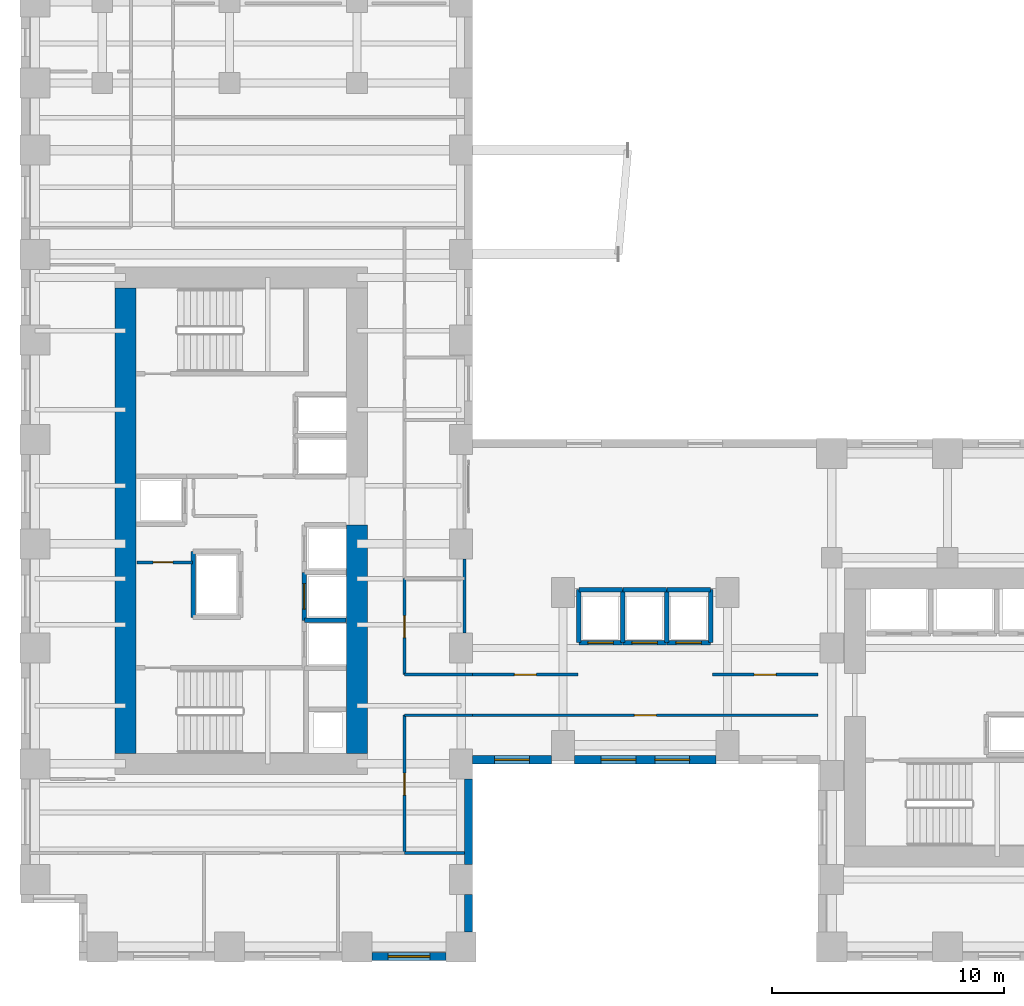
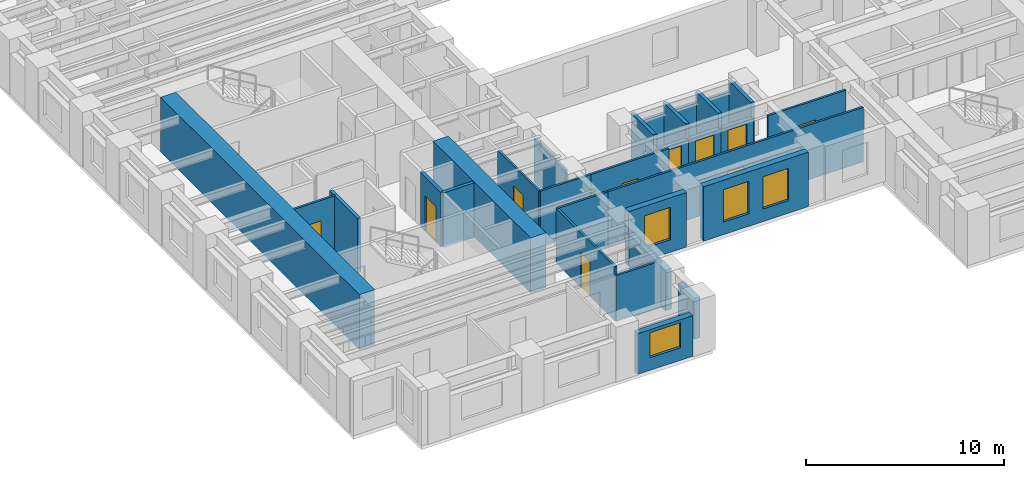
# One storey, part 6 of 13: 30 walls, 10 doors, 4 windows, 14 openings.
"""IFC4 building model written with IfcOpenShell, lengths in metres."""

import ifcopenshell
import ifcopenshell.guid

model = None  # the IFC model being written
_history = None  # IfcOwnerHistory: only IFC2X3 demands one
_inside = {}  # id of a spatial element -> (the spatial element, [elements in it])
_under = {}  # id of a project, library or spatial element -> (it, [spatial elements below it])
_declared = {}  # id of a project -> (the project, [libraries it declares])
_typed = {}  # id of a type object -> (the type object, [elements of that type])
_made_of = {}  # id of a material, layer set ... -> (it, [elements and type objects made of it])


def new_model(schema):
    """Start an empty IFC model of exactly this schema.

    Asked for "IFC4X3", IfcOpenShell would pick the latest addendum, in which some entities
    have other attributes; the version numbers below select the first issue.
    IFC2X3 requires an IfcOwnerHistory on every rooted entity: one is made here for all.
    """
    global model, _history
    if schema == "IFC4X3":
        model = ifcopenshell.file(schema_version=(4, 3, 0, 0))
    else:
        model = ifcopenshell.file(schema=schema)
    _inside.clear()
    _under.clear()
    _declared.clear()
    _typed.clear()
    _made_of.clear()
    _history = None
    if model.schema == "IFC2X3":
        org = make("IfcOrganization", Name="unknown")
        user = make(
            "IfcPersonAndOrganization",
            ThePerson=make("IfcPerson", FamilyName="unknown"),
            TheOrganization=org,
        )
        app = make(
            "IfcApplication",
            ApplicationDeveloper=org,
            Version="unknown",
            ApplicationFullName="unknown",
            ApplicationIdentifier="unknown",
        )
        _history = make(
            "IfcOwnerHistory",
            OwningUser=user,
            OwningApplication=app,
            ChangeAction="ADDED",
            CreationDate=0,
        )
    return model


def make(cls, **values):
    """One entity of the class cls with the attributes given. An attribute that is None is left unset."""
    return model.create_entity(
        cls, **{name: value for name, value in values.items() if value is not None}
    )


def rooted(cls, **values):
    """An entity with a GlobalId (a new one), such as an element, a storey or a relation."""
    return make(cls, GlobalId=ifcopenshell.guid.new(), OwnerHistory=_history, **values)


def si_unit(unit_type, name, prefix=None):
    """IfcSIUnit, for example si_unit("LENGTHUNIT", "METRE", prefix="MILLI")."""
    return make("IfcSIUnit", UnitType=unit_type, Prefix=prefix, Name=name)


def assignment(units):
    """IfcUnitAssignment: the units of a project."""
    return None if units is None else make("IfcUnitAssignment", Units=units)


def point(xyz):
    """IfcCartesianPoint."""
    return None if xyz is None else make("IfcCartesianPoint", Coordinates=xyz)


def direction(xyz):
    """IfcDirection."""
    return None if xyz is None else make("IfcDirection", DirectionRatios=xyz)


def frame(location, z_axis=None, x_axis=None):
    """IfcAxis2Placement3D, a coordinate frame: its origin and axes. An axis left out is left unset."""
    return make(
        "IfcAxis2Placement3D",
        Location=point(location),
        Axis=direction(z_axis),
        RefDirection=direction(x_axis),
    )


def frame_2d(location, x_axis=None):
    """IfcAxis2Placement2D, a coordinate frame in the plane: its origin and x axis."""
    return make(
        "IfcAxis2Placement2D", Location=point(location), RefDirection=direction(x_axis)
    )


def origin():
    """The frame at (0, 0, 0) with its axes left unset."""
    return frame((0.0, 0.0, 0.0))


def place(relative_to, where):
    """IfcLocalPlacement: puts the frame where relative to a parent placement (None: the world)."""
    return make(
        "IfcLocalPlacement", PlacementRelTo=relative_to, RelativePlacement=where
    )


def context(
    kind, dimensions, precision=None, world=None, true_north=None, identifier=None
):
    """IfcGeometricRepresentationContext, for example the 3D "Model" context."""
    return make(
        "IfcGeometricRepresentationContext",
        ContextIdentifier=identifier,
        ContextType=kind,
        CoordinateSpaceDimension=dimensions,
        Precision=precision,
        WorldCoordinateSystem=world,
        TrueNorth=true_north,
    )


def subcontext(parent, identifier, kind, view, scale=None):
    """IfcGeometricRepresentationSubContext, for example "Body" below "Model"."""
    return make(
        "IfcGeometricRepresentationSubContext",
        ContextIdentifier=identifier,
        ContextType=kind,
        ParentContext=parent,
        TargetScale=scale,
        TargetView=view,
    )


def project(units=None, contexts=None):
    """IfcProject with its units and contexts."""
    return rooted(
        "IfcProject",
        Name="project",
        RepresentationContexts=contexts,
        UnitsInContext=assignment(units),
    )


def spatial(cls, under=None, at=None, **own):
    """A site, building, storey or space (cls), placed at a placement, below another one or the project."""
    s = rooted(cls, ObjectPlacement=at, **own)
    if under is not None:
        _under.setdefault(under.id(), (under, []))[1].append(s)
    return s


def profile(cls, at=None, kind="AREA", **sizes):
    """A parametric profile (cls). Its sizes go by their IFC names, for example OverallWidth=200.0."""
    return make(cls, ProfileType=kind, Position=at, **sizes)


def rectangle(**sizes):
    """IfcRectangleProfileDef."""
    return profile("IfcRectangleProfileDef", **sizes)


def extrude(swept, where, along, depth):
    """IfcExtrudedAreaSolid: the profile swept, set in the frame where, extruded along a direction by depth."""
    return make(
        "IfcExtrudedAreaSolid",
        SweptArea=swept,
        Position=where,
        ExtrudedDirection=direction(along),
        Depth=depth,
    )


def shape(context_of_items, identifier, shape_type, items):
    """IfcShapeRepresentation: the items that make up one representation, for example the "Body"."""
    return make(
        "IfcShapeRepresentation",
        ContextOfItems=context_of_items,
        RepresentationIdentifier=identifier,
        RepresentationType=shape_type,
        Items=items,
    )


def source(mapping_origin, context_of_items, identifier, shape_type, items):
    """IfcRepresentationMap: a shape defined once, which mapped items show again and again."""
    return make(
        "IfcRepresentationMap",
        MappingOrigin=mapping_origin,
        MappedRepresentation=shape(context_of_items, identifier, shape_type, items),
    )


def transform(
    local_origin,
    x_axis=None,
    y_axis=None,
    z_axis=None,
    scale=None,
    scale2=None,
    scale3=None,
    uniform=True,
):
    """IfcCartesianTransformationOperator3D, or its non-uniform kind. x_axis, y_axis, z_axis: its Axis1, 2, 3."""
    if uniform:
        return make(
            "IfcCartesianTransformationOperator3D",
            Axis1=direction(x_axis),
            Axis2=direction(y_axis),
            LocalOrigin=point(local_origin),
            Scale=scale,
            Axis3=direction(z_axis),
        )
    return make(
        "IfcCartesianTransformationOperator3DnonUniform",
        Axis1=direction(x_axis),
        Axis2=direction(y_axis),
        LocalOrigin=point(local_origin),
        Scale=scale,
        Axis3=direction(z_axis),
        Scale2=scale2,
        Scale3=scale3,
    )


def mapped(mapping_source, mapping_target):
    """IfcMappedItem: shows the shape of a source again, moved by a transform."""
    return make(
        "IfcMappedItem", MappingSource=mapping_source, MappingTarget=mapping_target
    )


def material(Name=None, Category=None):
    """IfcMaterial."""
    return make("IfcMaterial", Name=Name, Category=Category)


def layer(
    of_material, thickness, ventilated=None, Name=None, Category=None, Priority=None
):
    """IfcMaterialLayer: one layer of a wall or slab, of a material (None: an air gap)."""
    return make(
        "IfcMaterialLayer",
        Material=of_material,
        LayerThickness=thickness,
        IsVentilated=ventilated,
        Name=Name,
        Category=Category,
        Priority=Priority,
    )


def layer_set(layers, Name=None):
    """IfcMaterialLayerSet."""
    return make("IfcMaterialLayerSet", MaterialLayers=layers, LayerSetName=Name)


def made_of(thing, what):
    """Note that an element or type object is made of a material, layer set ...; save() writes the relation."""
    if what is not None:
        _made_of.setdefault(what.id(), (what, []))[1].append(thing)
    return thing


def type_object(cls, material=None, **own):
    """A type object (cls), such as IfcWallType, which elements share."""
    return made_of(rooted(cls, **own), material)


def element(
    cls,
    number,
    at=None,
    inside=None,
    cuts=None,
    type_object=None,
    material=None,
    context=None,
    identifier="Body",
    shape_type=None,
    held_by="IfcProductDefinitionShape",
    body=None,
    shapes=None,
    **own,
):
    """One element of the class cls, such as IfcWall. Its Tag is "e" and its number.

    at: its placement. inside: the storey or other place that contains it. cuts: it is an
    opening in that element (IfcRelVoidsElement). A single representation is given by context,
    identifier, shape_type and body (its items); several are given by shapes. held_by: the class
    of the entity that holds the representations. save() writes the other relations.
    """
    e = rooted(cls, Tag="e%d" % number, ObjectPlacement=at, **own)
    if body is not None:
        shapes = [shape(context, identifier, shape_type, body)]
    if shapes is not None:
        e.Representation = make(held_by, Representations=shapes)
    if inside is not None:
        _inside.setdefault(inside.id(), (inside, []))[1].append(e)
    if cuts is not None:
        rooted(
            "IfcRelVoidsElement", RelatingBuildingElement=cuts, RelatedOpeningElement=e
        )
    if type_object is not None:
        _typed.setdefault(type_object.id(), (type_object, []))[1].append(e)
    return made_of(e, material)


def fill(opening, filler):
    """IfcRelFillsElement: the door or window that sits in an opening."""
    return rooted(
        "IfcRelFillsElement",
        RelatingOpeningElement=opening,
        RelatedBuildingElement=filler,
    )


def aggregate(whole, parts):
    """IfcRelAggregates: a whole, such as a stair, and the parts it consists of."""
    return rooted("IfcRelAggregates", RelatingObject=whole, RelatedObjects=parts)


def save(model, path):
    """Write the relations noted so far, then the file.

    IfcRelAggregates (storeys below a building ...), IfcRelContainedInSpatialStructure (elements
    in a storey), IfcRelDefinesByType, IfcRelAssociatesMaterial and IfcRelDeclares: one each for
    every whole, place, type object, material and project.
    """
    for whole, parts in _under.values():
        aggregate(whole, parts)
    for where, things in _inside.values():
        rooted(
            "IfcRelContainedInSpatialStructure",
            RelatedElements=things,
            RelatingStructure=where,
        )
    for kind, things in _typed.values():
        rooted("IfcRelDefinesByType", RelatedObjects=things, RelatingType=kind)
    for what, things in _made_of.values():
        rooted("IfcRelAssociatesMaterial", RelatedObjects=things, RelatingMaterial=what)
    for by, libraries in _declared.values():
        rooted("IfcRelDeclares", RelatingContext=by, RelatedDefinitions=libraries)
    model.write(path)


model = new_model("IFC4")

# Units and contexts
model_context = context("Model", 3, precision=1e-05, world=origin(), true_north=direction((0.0, 1.0)))
body_context = subcontext(model_context, "Body", "Model", "MODEL_VIEW")
ifc_project = project(units=[si_unit("LENGTHUNIT", "METRE"), si_unit("AREAUNIT", "SQUARE_METRE"), si_unit("VOLUMEUNIT", "CUBIC_METRE"), si_unit("PLANEANGLEUNIT", "RADIAN"), si_unit("MASSUNIT", "GRAM", prefix="KILO")], contexts=[model_context])

# Site, building, storey
site_placement = place(None, origin())
site = spatial("IfcSite", under=ifc_project, at=site_placement, CompositionType="ELEMENT")
building_placement = place(site_placement, origin())
building = spatial("IfcBuilding", under=site, at=building_placement, Name="Kharzan Plaza Tower", CompositionType="ELEMENT")
storey_placement = place(building_placement, frame((0.0, 0.0, 65.699951171875)))
storey = spatial("IfcBuildingStorey", under=building, at=storey_placement, Name="L17", CompositionType="ELEMENT", Elevation=65.699951171875)

# Wall, opening, window
ifc_material_1 = material(Name="Concrete C40/50", Category="concrete")
ifc_layer_1 = layer(ifc_material_1, 0.35009765625)
ifc_layer_set_1 = layer_set([ifc_layer_1], Name="Concrete C40/50")
wall_type_1 = type_object("IfcWallType", Name="WL-EXT-MAS-Z1", PredefinedType="SOLIDWALL", material=ifc_layer_set_1)
wall_1_placement = place(storey_placement, frame((15.14794921875, 0.175048828125, 0.0), z_axis=(0.0, 0.0, 1.0), x_axis=(1.0, 0.0, 0.0)))
wall_1 = element("IfcWall", 1, at=wall_1_placement, inside=storey, type_object=wall_type_1, Name="L17 Masonry-Frame Exterior Wall 25", PredefinedType="SOLIDWALL", context=body_context, shape_type="SweptSolid", body=[
    extrude(rectangle(XDim=3.2041015625, YDim=0.35009765625, at=frame_2d((1.60205078125, 0.0))), origin(), (0.0, 0.0, 1.0), 2.510009765625),
])
opening_1_placement = place(wall_1_placement, frame((0.701904296875, 0.0, 0.780029296875)))
opening_1 = element("IfcOpeningElement", 2, at=opening_1_placement, cuts=wall_1, Name="Opening W1", PredefinedType="OPENING", context=body_context, shape_type="SweptSolid", body=[
    extrude(rectangle(XDim=1.800048828125, YDim=1.550048828125, at=frame_2d((0.89990234375, 0.77490234375))), frame((0.0, 0.18505859375, 0.0), z_axis=(0.0, -1.0, 0.0), x_axis=(1.0, 0.0, 0.0)), (0.0, 0.0, 1.0), 0.3701171875),
])
ifc_material_2 = material(Name="Low-E Double Glazing", Category="glass")
window_type_1 = type_object("IfcWindowType", Name="WN-REC-1800x2100", PartitioningType="SINGLE_PANEL", PredefinedType="WINDOW", material=ifc_material_2)
shared_shape_1 = source(origin(), body_context, "Body", "SweptSolid", [
    extrude(rectangle(XDim=1.800048828125, YDim=1.550048828125, at=frame_2d((0.89990234375, 0.77490234375))), frame((0.0, 0.030029296875, 0.0), z_axis=(0.0, -1.0, 0.0), x_axis=(1.0, 0.0, 0.0)), (0.0, 0.0, 1.0), 0.06005859375),
])
window_1_placement = place(opening_1_placement, origin())
window_1 = element("IfcWindow", 3, at=window_1_placement, inside=storey, type_object=window_type_1, Name="L17 Recessed Solar-Control Window 25-1", OverallHeight=1.550048828125, OverallWidth=1.800048828125, PartitioningType="SINGLE_PANEL", PredefinedType="WINDOW", context=body_context, shape_type="MappedRepresentation", body=[
    mapped(shared_shape_1, transform((0.0, 0.0, 0.0), x_axis=(1.0, 0.0, 0.0), y_axis=(0.0, 1.0, 0.0), z_axis=(0.0, 0.0, 1.0))),
])
fill(opening_1, window_1)

wall_2_placement = place(storey_placement, frame((19.498046875, 8.675048828125, 0.0), z_axis=(0.0, 0.0, 1.0), x_axis=(1.0, 0.0, 0.0)))
wall_2 = element("IfcWall", 4, at=wall_2_placement, inside=storey, type_object=wall_type_1, Name="L17 Masonry-Frame Exterior Wall 28", PredefinedType="SOLIDWALL", context=body_context, shape_type="SweptSolid", body=[
    extrude(rectangle(XDim=3.404052734375, YDim=0.35009765625, at=frame_2d((1.7021484375, 0.0))), origin(), (0.0, 0.0, 1.0), 3.364990234375),
])
opening_2_placement = place(wall_2_placement, frame((0.951904296875, 0.0, 0.780029296875)))
opening_2 = element("IfcOpeningElement", 5, at=opening_2_placement, cuts=wall_2, Name="Opening W5", PredefinedType="OPENING", context=body_context, shape_type="SweptSolid", body=[
    extrude(rectangle(XDim=1.5, YDim=2.0, at=frame_2d((0.75, 1.0))), frame((0.0, 0.18505859375, 0.0), z_axis=(0.0, -1.0, 0.0), x_axis=(1.0, 0.0, 0.0)), (0.0, 0.0, 1.0), 0.3701171875),
])
window_type_2 = type_object("IfcWindowType", Name="WN-SLT-1500x2000", PartitioningType="SINGLE_PANEL", PredefinedType="WINDOW", material=ifc_material_2)
shared_shape_2 = source(origin(), body_context, "Body", "SweptSolid", [
    extrude(rectangle(XDim=1.5, YDim=2.0, at=frame_2d((0.75, 1.0))), frame((0.0, 0.030029296875, 0.0), z_axis=(0.0, -1.0, 0.0), x_axis=(1.0, 0.0, 0.0)), (0.0, 0.0, 1.0), 0.06005859375),
])
window_2_placement = place(opening_2_placement, origin())
window_2 = element("IfcWindow", 6, at=window_2_placement, inside=storey, type_object=window_type_2, Name="L17 Recessed Solar-Control Window 28-1", OverallHeight=2.0, OverallWidth=1.5, PartitioningType="SINGLE_PANEL", PredefinedType="WINDOW", context=body_context, shape_type="MappedRepresentation", body=[
    mapped(shared_shape_2, transform((0.0, 0.0, 0.0), x_axis=(1.0, 0.0, 0.0), y_axis=(0.0, 1.0, 0.0), z_axis=(0.0, 0.0, 1.0))),
])
fill(opening_2, window_2)

# Wall, openings, windows
wall_3_placement = place(storey_placement, frame((23.89794921875, 8.675048828125, 0.0), z_axis=(0.0, 0.0, 1.0), x_axis=(1.0, 0.0, 0.0)))
wall_3 = element("IfcWall", 7, at=wall_3_placement, inside=storey, type_object=wall_type_1, Name="L17 Masonry-Frame Exterior Wall 29", PredefinedType="SOLIDWALL", context=body_context, shape_type="SweptSolid", body=[
    extrude(rectangle(XDim=6.10400390625, YDim=0.35009765625, at=frame_2d((3.052001953125, 0.0))), origin(), (0.0, 0.0, 1.0), 3.364990234375),
])
opening_3_placement = place(wall_3_placement, frame((1.141357421875, 0.0, 0.780029296875)))
opening_3 = element("IfcOpeningElement", 8, at=opening_3_placement, cuts=wall_3, Name="Opening W5", PredefinedType="OPENING", context=body_context, shape_type="SweptSolid", body=[
    extrude(rectangle(XDim=1.5, YDim=2.0, at=frame_2d((0.75, 1.0))), frame((0.0, 0.18505859375, 0.0), z_axis=(0.0, -1.0, 0.0), x_axis=(1.0, 0.0, 0.0)), (0.0, 0.0, 1.0), 0.3701171875),
])
opening_4_placement = place(wall_3_placement, frame((3.462646484375, 0.0, 0.780029296875)))
opening_4 = element("IfcOpeningElement", 9, at=opening_4_placement, cuts=wall_3, Name="Opening W5", PredefinedType="OPENING", context=body_context, shape_type="SweptSolid", body=[
    extrude(rectangle(XDim=1.5, YDim=2.0, at=frame_2d((0.75, 1.0))), frame((0.0, 0.18505859375, 0.0), z_axis=(0.0, -1.0, 0.0), x_axis=(1.0, 0.0, 0.0)), (0.0, 0.0, 1.0), 0.3701171875),
])
window_3_placement = place(opening_3_placement, origin())
window_3 = element("IfcWindow", 10, at=window_3_placement, inside=storey, type_object=window_type_2, Name="L17 Recessed Solar-Control Window 29-1", OverallHeight=2.0, OverallWidth=1.5, PartitioningType="SINGLE_PANEL", PredefinedType="WINDOW", context=body_context, shape_type="MappedRepresentation", body=[
    mapped(shared_shape_2, transform((0.0, 0.0, 0.0), x_axis=(1.0, 0.0, 0.0), y_axis=(0.0, 1.0, 0.0), z_axis=(0.0, 0.0, 1.0))),
])
fill(opening_3, window_3)
window_4_placement = place(opening_4_placement, origin())
window_4 = element("IfcWindow", 11, at=window_4_placement, inside=storey, type_object=window_type_2, Name="L17 Recessed Solar-Control Window 29-2", OverallHeight=2.0, OverallWidth=1.5, PartitioningType="SINGLE_PANEL", PredefinedType="WINDOW", context=body_context, shape_type="MappedRepresentation", body=[
    mapped(shared_shape_2, transform((0.0, 0.0, 0.0), x_axis=(1.0, 0.0, 0.0), y_axis=(0.0, 1.0, 0.0), z_axis=(0.0, 0.0, 1.0))),
])
fill(opening_4, window_4)

# Wall, opening, door
ifc_material_3 = material(Name="Fire-Rated Gypsum Board Partition", Category="gypsum")
ifc_layer_2 = layer(ifc_material_3, 0.125)
ifc_layer_set_2 = layer_set([ifc_layer_2], Name="Fire-Rated Gypsum Board Partition")
wall_type_2 = type_object("IfcWallType", Name="WL-INT-PART-125", PredefinedType="PARTITIONING", material=ifc_layer_set_2)
wall_4_placement = place(storey_placement, frame((5.0, 17.199951171875, 0.0), z_axis=(0.0, 0.0, 1.0), x_axis=(1.0, 0.0, 0.0)))
wall_4 = element("IfcWall", 12, at=wall_4_placement, inside=storey, type_object=wall_type_2, Name="L17 Interior Partition CA-K2N0", PredefinedType="PARTITIONING", context=body_context, shape_type="SweptSolid", body=[
    extrude(rectangle(XDim=2.39990234375, YDim=0.125, at=frame_2d((1.199951171875, 0.0))), origin(), (0.0, 0.0, 1.0), 3.364990234375),
])
opening_5_placement = place(wall_4_placement, frame((0.699951171875, 0.0, 0.0)))
opening_5 = element("IfcOpeningElement", 13, at=opening_5_placement, cuts=wall_4, Name="Opening RD1", PredefinedType="OPENING", context=body_context, shape_type="SweptSolid", body=[
    extrude(rectangle(XDim=0.85009765625, YDim=2.10009765625, at=frame_2d((0.425048828125, 1.050048828125))), frame((0.0, 0.072509765625, 0.0), z_axis=(0.0, -1.0, 0.0), x_axis=(1.0, 0.0, 0.0)), (0.0, 0.0, 1.0), 0.14501953125),
])
ifc_material_4 = material(Name="Powder-Coated Fire-Rated Steel", Category="steel")
door_type_1 = type_object("IfcDoorType", Name="DR-RISER-900", OperationType="NOTDEFINED", PredefinedType="DOOR", material=ifc_material_4)
shared_shape_3 = source(origin(), body_context, "Body", "SweptSolid", [
    extrude(rectangle(XDim=0.85009765625, YDim=2.10009765625, at=frame_2d((0.425048828125, 1.050048828125))), frame((0.0, 0.02490234375, 0.0), z_axis=(0.0, -1.0, 0.0), x_axis=(1.0, 0.0, 0.0)), (0.0, 0.0, 1.0), 0.050048828125),
])
door_1_placement = place(opening_5_placement, origin())
door_1 = element("IfcDoor", 14, at=door_1_placement, inside=storey, type_object=door_type_1, Name="L17 Core Electrical Store Door", OperationType="SINGLE_SWING_LEFT", OverallHeight=2.10009765625, OverallWidth=0.85009765625, PredefinedType="DOOR", context=body_context, shape_type="MappedRepresentation", body=[
    mapped(shared_shape_3, transform((0.0, 0.0, 0.0), x_axis=(1.0, 0.0, 0.0), y_axis=(0.0, 1.0, 0.0), z_axis=(0.0, 0.0, 1.0))),
])
fill(opening_5, door_1)

wall_5_placement = place(storey_placement, frame((16.550048828125, 12.35009765625, 0.0), z_axis=(0.0, 0.0, 1.0), x_axis=(0.0, 1.0, 0.0)))
wall_5 = element("IfcWall", 15, at=wall_5_placement, inside=storey, type_object=wall_type_2, Name="L17 Interior Partition SH-AEWN1", PredefinedType="PARTITIONING", context=body_context, shape_type="SweptSolid", body=[
    extrude(rectangle(XDim=4.14990234375, YDim=0.125, at=frame_2d((2.074951171875, 0.0))), origin(), (0.0, 0.0, 1.0), 3.364990234375),
])
opening_6_placement = place(wall_5_placement, frame((1.60009765625, 0.0, 0.0)))
opening_6 = element("IfcOpeningElement", 16, at=opening_6_placement, cuts=wall_5, Name="Opening OD1", PredefinedType="OPENING", context=body_context, shape_type="SweptSolid", body=[
    extrude(rectangle(XDim=0.949951171875, YDim=2.14990234375, at=frame_2d((0.47509765625, 1.074951171875))), frame((0.0, 0.072509765625, 0.0), z_axis=(0.0, -1.0, 0.0), x_axis=(1.0, 0.0, 0.0)), (0.0, 0.0, 1.0), 0.14501953125),
])
ifc_material_5 = material(Name="Acoustic Solid-Core Stained Oak", Category="timber")
door_type_2 = type_object("IfcDoorType", Name="DR-OFF-SINGLE", OperationType="NOTDEFINED", PredefinedType="DOOR", material=ifc_material_5)
shared_shape_4 = source(origin(), body_context, "Body", "SweptSolid", [
    extrude(rectangle(XDim=0.949951171875, YDim=2.14990234375, at=frame_2d((0.47509765625, 1.074951171875))), frame((0.0, 0.02490234375, 0.0), z_axis=(0.0, -1.0, 0.0), x_axis=(1.0, 0.0, 0.0)), (0.0, 0.0, 1.0), 0.050048828125),
])
door_2_placement = place(opening_6_placement, origin())
door_2 = element("IfcDoor", 17, at=door_2_placement, inside=storey, type_object=door_type_2, Name="L17 Slot Collaboration Door", OperationType="SINGLE_SWING_LEFT", OverallHeight=2.14990234375, OverallWidth=0.949951171875, PredefinedType="DOOR", context=body_context, shape_type="MappedRepresentation", body=[
    mapped(shared_shape_4, transform((0.0, 0.0, 0.0), x_axis=(1.0, 0.0, 0.0), y_axis=(0.0, 1.0, 0.0), z_axis=(0.0, 0.0, 1.0))),
])
fill(opening_6, door_2)

wall_6_placement = place(storey_placement, frame((16.550048828125, 4.64990234375, 0.0), z_axis=(0.0, 0.0, 1.0), x_axis=(0.0, 1.0, 0.0)))
wall_6 = element("IfcWall", 18, at=wall_6_placement, inside=storey, type_object=wall_type_2, Name="L17 Interior Partition SH-AEWS", PredefinedType="PARTITIONING", context=body_context, shape_type="SweptSolid", body=[
    extrude(rectangle(XDim=5.9501953125, YDim=0.125, at=frame_2d((2.97509765625, 0.0))), origin(), (0.0, 0.0, 1.0), 3.364990234375),
])
opening_7_placement = place(wall_6_placement, frame((2.5, 0.0, 0.0)))
opening_7 = element("IfcOpeningElement", 19, at=opening_7_placement, cuts=wall_6, Name="Opening OD1", PredefinedType="OPENING", context=body_context, shape_type="SweptSolid", body=[
    extrude(rectangle(XDim=0.949951171875, YDim=2.14990234375, at=frame_2d((0.47509765625, 1.074951171875))), frame((0.0, 0.072509765625, 0.0), z_axis=(0.0, -1.0, 0.0), x_axis=(1.0, 0.0, 0.0)), (0.0, 0.0, 1.0), 0.14501953125),
])
door_3_placement = place(opening_7_placement, origin())
door_3 = element("IfcDoor", 20, at=door_3_placement, inside=storey, type_object=door_type_2, Name="L17 Slot South Office Door", OperationType="SINGLE_SWING_RIGHT", OverallHeight=2.14990234375, OverallWidth=0.949951171875, PredefinedType="DOOR", context=body_context, shape_type="MappedRepresentation", body=[
    mapped(shared_shape_4, transform((0.0, 0.0, 0.0), x_axis=(1.0, 0.0, 0.0), y_axis=(0.0, 1.0, 0.0), z_axis=(0.0, 0.0, 1.0))),
])
fill(opening_7, door_3)

wall_7_placement = place(storey_placement, frame((29.85009765625, 12.35009765625, 0.0), z_axis=(0.0, 0.0, 1.0), x_axis=(1.0, 0.0, 0.0)))
wall_7 = element("IfcWall", 21, at=wall_7_placement, inside=storey, type_object=wall_type_2, Name="L17 Interior Partition SH-SPNE1", PredefinedType="PARTITIONING", context=body_context, shape_type="SweptSolid", body=[
    extrude(rectangle(XDim=4.5498046875, YDim=0.125, at=frame_2d((2.27490234375, 0.0))), origin(), (0.0, 0.0, 1.0), 3.364990234375),
])
opening_8_placement = place(wall_7_placement, frame((1.800048828125, 0.0, 0.0)))
opening_8 = element("IfcOpeningElement", 22, at=opening_8_placement, cuts=wall_7, Name="Opening OD1", PredefinedType="OPENING", context=body_context, shape_type="SweptSolid", body=[
    extrude(rectangle(XDim=0.949951171875, YDim=2.14990234375, at=frame_2d((0.47509765625, 1.074951171875))), frame((0.0, 0.072509765625, 0.0), z_axis=(0.0, -1.0, 0.0), x_axis=(1.0, 0.0, 0.0)), (0.0, 0.0, 1.0), 0.14501953125),
])
door_4_placement = place(opening_8_placement, origin())
door_4 = element("IfcDoor", 23, at=door_4_placement, inside=storey, type_object=door_type_2, Name="L17 North-East Spine Door", OperationType="SINGLE_SWING_LEFT", OverallHeight=2.14990234375, OverallWidth=0.949951171875, PredefinedType="DOOR", context=body_context, shape_type="MappedRepresentation", body=[
    mapped(shared_shape_4, transform((0.0, 0.0, 0.0), x_axis=(1.0, 0.0, 0.0), y_axis=(0.0, 1.0, 0.0), z_axis=(0.0, 0.0, 1.0))),
])
fill(opening_8, door_4)

wall_8_placement = place(storey_placement, frame((19.5, 12.35009765625, 0.0), z_axis=(0.0, 0.0, 1.0), x_axis=(1.0, 0.0, 0.0)))
wall_8 = element("IfcWall", 24, at=wall_8_placement, inside=storey, type_object=wall_type_2, Name="L17 Interior Partition SH-SPNW1", PredefinedType="PARTITIONING", context=body_context, shape_type="SweptSolid", body=[
    extrude(rectangle(XDim=4.550048828125, YDim=0.125, at=frame_2d((2.27490234375, 0.0))), origin(), (0.0, 0.0, 1.0), 3.364990234375),
])
opening_9_placement = place(wall_8_placement, frame((1.800048828125, 0.0, 0.0)))
opening_9 = element("IfcOpeningElement", 25, at=opening_9_placement, cuts=wall_8, Name="Opening OD1", PredefinedType="OPENING", context=body_context, shape_type="SweptSolid", body=[
    extrude(rectangle(XDim=0.949951171875, YDim=2.14990234375, at=frame_2d((0.47509765625, 1.074951171875))), frame((0.0, 0.072509765625, 0.0), z_axis=(0.0, -1.0, 0.0), x_axis=(1.0, 0.0, 0.0)), (0.0, 0.0, 1.0), 0.14501953125),
])
door_5_placement = place(opening_9_placement, origin())
door_5 = element("IfcDoor", 26, at=door_5_placement, inside=storey, type_object=door_type_2, Name="L17 North-West Spine Door", OperationType="SINGLE_SWING_RIGHT", OverallHeight=2.14990234375, OverallWidth=0.949951171875, PredefinedType="DOOR", context=body_context, shape_type="MappedRepresentation", body=[
    mapped(shared_shape_4, transform((0.0, 0.0, 0.0), x_axis=(1.0, 0.0, 0.0), y_axis=(0.0, 1.0, 0.0), z_axis=(0.0, 0.0, 1.0))),
])
fill(opening_9, door_5)

wall_9_placement = place(storey_placement, frame((19.5, 10.60009765625, 0.0), z_axis=(0.0, 0.0, 1.0), x_axis=(1.0, 0.0, 0.0)))
wall_9 = element("IfcWall", 27, at=wall_9_placement, inside=storey, type_object=wall_type_2, Name="L17 Interior Partition SH-SPS1", PredefinedType="PARTITIONING", context=body_context, shape_type="SweptSolid", body=[
    extrude(rectangle(XDim=14.89990234375, YDim=0.125, at=frame_2d((7.449951171875, 0.0))), origin(), (0.0, 0.0, 1.0), 3.364990234375),
])
opening_10_placement = place(wall_9_placement, frame((6.97509765625, 0.0, 0.0)))
opening_10 = element("IfcOpeningElement", 28, at=opening_10_placement, cuts=wall_9, Name="Opening OD1", PredefinedType="OPENING", context=body_context, shape_type="SweptSolid", body=[
    extrude(rectangle(XDim=0.949951171875, YDim=2.14990234375, at=frame_2d((0.47509765625, 1.074951171875))), frame((0.0, 0.072509765625, 0.0), z_axis=(0.0, -1.0, 0.0), x_axis=(1.0, 0.0, 0.0)), (0.0, 0.0, 1.0), 0.14501953125),
])
door_6_placement = place(opening_10_placement, origin())
door_6 = element("IfcDoor", 29, at=door_6_placement, inside=storey, type_object=door_type_2, Name="L17 South Spine Studio Door", OperationType="SINGLE_SWING_LEFT", OverallHeight=2.14990234375, OverallWidth=0.949951171875, PredefinedType="DOOR", context=body_context, shape_type="MappedRepresentation", body=[
    mapped(shared_shape_4, transform((0.0, 0.0, 0.0), x_axis=(1.0, 0.0, 0.0), y_axis=(0.0, 1.0, 0.0), z_axis=(0.0, 0.0, 1.0))),
])
fill(opening_10, door_6)

ifc_layer_3 = layer(ifc_material_1, 0.199951171875)
ifc_layer_set_3 = layer_set([ifc_layer_3], Name="Concrete C40/50")
wall_type_3 = type_object("IfcWallType", Name="WL-INT-SHAFT-200", PredefinedType="PARTITIONING", material=ifc_layer_set_3)
wall_10_placement = place(storey_placement, frame((12.22998046875, 14.699951171875, 0.0), z_axis=(0.0, 0.0, 1.0), x_axis=(0.0, 1.0, 0.0)))
wall_10 = element("IfcWall", 30, at=wall_10_placement, inside=storey, type_object=wall_type_3, Name="L17 Interior Partition SHF-PL-H2-W", PredefinedType="PARTITIONING", context=body_context, shape_type="SweptSolid", body=[
    extrude(rectangle(XDim=2.070068359375, YDim=0.199951171875, at=frame_2d((1.03515625, 0.0))), origin(), (0.0, 0.0, 1.0), 3.364990234375),
])
opening_11_placement = place(wall_10_placement, frame((0.485107421875, 0.0, 0.0)))
opening_11 = element("IfcOpeningElement", 31, at=opening_11_placement, cuts=wall_10, Name="Opening LD", PredefinedType="OPENING", context=body_context, shape_type="SweptSolid", body=[
    extrude(rectangle(XDim=1.10009765625, YDim=2.199951171875, at=frame_2d((0.550048828125, 1.10009765625))), frame((0.0, 0.10986328125, 0.0), z_axis=(0.0, -1.0, 0.0), x_axis=(1.0, 0.0, 0.0)), (0.0, 0.0, 1.0), 0.219970703125),
])
ifc_material_6 = material(Name="Brushed Stainless Steel", Category="steel")
door_type_3 = type_object("IfcDoorType", Name="DR-LIFT-SLIDE", OperationType="SLIDING_TO_LEFT", PredefinedType="DOOR", material=ifc_material_6)
shared_shape_5 = source(origin(), body_context, "Body", "SweptSolid", [
    extrude(rectangle(XDim=1.10009765625, YDim=2.199951171875, at=frame_2d((0.550048828125, 1.10009765625))), frame((0.0, 0.02490234375, 0.0), z_axis=(0.0, -1.0, 0.0), x_axis=(1.0, 0.0, 0.0)), (0.0, 0.0, 1.0), 0.050048828125),
])
door_7_placement = place(opening_11_placement, origin())
door_7 = element("IfcDoor", 32, at=door_7_placement, inside=storey, type_object=door_type_3, Name="L17 High-Rise Passenger Lift PL-H2 Sliding Landing Door", OperationType="SLIDING_TO_LEFT", OverallHeight=2.199951171875, OverallWidth=1.10009765625, PredefinedType="DOOR", context=body_context, shape_type="MappedRepresentation", body=[
    mapped(shared_shape_5, transform((0.0, 0.0, 0.0), x_axis=(1.0, 0.0, 0.0), y_axis=(0.0, 1.0, 0.0), z_axis=(0.0, 0.0, 1.0))),
])
fill(opening_11, door_7)

wall_11_placement = place(storey_placement, frame((24.080078125, 13.72998046875, 0.0), z_axis=(0.0, 0.0, 1.0), x_axis=(1.0, 0.0, 0.0)))
wall_11 = element("IfcWall", 33, at=wall_11_placement, inside=storey, type_object=wall_type_3, Name="L17 Interior Partition SHF-PL-M1-S", PredefinedType="PARTITIONING", context=body_context, shape_type="SweptSolid", body=[
    extrude(rectangle(XDim=1.889892578125, YDim=0.199951171875, at=frame_2d((0.94482421875, 0.0))), origin(), (0.0, 0.0, 1.0), 2.446044921875),
])
opening_12_placement = place(wall_11_placement, frame((0.39501953125, 0.0, 0.0)))
opening_12 = element("IfcOpeningElement", 34, at=opening_12_placement, cuts=wall_11, Name="Opening LD", PredefinedType="OPENING", context=body_context, shape_type="SweptSolid", body=[
    extrude(rectangle(XDim=1.10009765625, YDim=2.199951171875, at=frame_2d((0.550048828125, 1.10009765625))), frame((0.0, 0.10986328125, 0.0), z_axis=(0.0, -1.0, 0.0), x_axis=(1.0, 0.0, 0.0)), (0.0, 0.0, 1.0), 0.219970703125),
])
door_8_placement = place(opening_12_placement, origin())
door_8 = element("IfcDoor", 35, at=door_8_placement, inside=storey, type_object=door_type_3, Name="L17 Mid-Rise Passenger Lift PL-M1 Sliding Landing Door", OperationType="SLIDING_TO_LEFT", OverallHeight=2.199951171875, OverallWidth=1.10009765625, PredefinedType="DOOR", context=body_context, shape_type="MappedRepresentation", body=[
    mapped(shared_shape_5, transform((0.0, 0.0, 0.0), x_axis=(1.0, 0.0, 0.0), y_axis=(0.0, 1.0, 0.0), z_axis=(0.0, 0.0, 1.0))),
])
fill(opening_12, door_8)

wall_12_placement = place(storey_placement, frame((25.97998046875, 13.72998046875, 0.0), z_axis=(0.0, 0.0, 1.0), x_axis=(1.0, 0.0, 0.0)))
wall_12 = element("IfcWall", 36, at=wall_12_placement, inside=storey, type_object=wall_type_3, Name="L17 Interior Partition SHF-PL-M2-S", PredefinedType="PARTITIONING", context=body_context, shape_type="SweptSolid", body=[
    extrude(rectangle(XDim=1.89013671875, YDim=0.199951171875, at=frame_2d((0.945068359375, 0.0))), origin(), (0.0, 0.0, 1.0), 2.446044921875),
])
opening_13_placement = place(wall_12_placement, frame((0.39501953125, 0.0, 0.0)))
opening_13 = element("IfcOpeningElement", 37, at=opening_13_placement, cuts=wall_12, Name="Opening LD", PredefinedType="OPENING", context=body_context, shape_type="SweptSolid", body=[
    extrude(rectangle(XDim=1.10009765625, YDim=2.199951171875, at=frame_2d((0.550048828125, 1.10009765625))), frame((0.0, 0.10986328125, 0.0), z_axis=(0.0, -1.0, 0.0), x_axis=(1.0, 0.0, 0.0)), (0.0, 0.0, 1.0), 0.219970703125),
])
door_9_placement = place(opening_13_placement, origin())
door_9 = element("IfcDoor", 38, at=door_9_placement, inside=storey, type_object=door_type_3, Name="L17 Mid-Rise Passenger Lift PL-M2 Sliding Landing Door", OperationType="SLIDING_TO_LEFT", OverallHeight=2.199951171875, OverallWidth=1.10009765625, PredefinedType="DOOR", context=body_context, shape_type="MappedRepresentation", body=[
    mapped(shared_shape_5, transform((0.0, 0.0, 0.0), x_axis=(1.0, 0.0, 0.0), y_axis=(0.0, 1.0, 0.0), z_axis=(0.0, 0.0, 1.0))),
])
fill(opening_13, door_9)

wall_13_placement = place(storey_placement, frame((27.8798828125, 13.72998046875, 0.0), z_axis=(0.0, 0.0, 1.0), x_axis=(1.0, 0.0, 0.0)))
wall_13 = element("IfcWall", 39, at=wall_13_placement, inside=storey, type_object=wall_type_3, Name="L17 Interior Partition SHF-PL-M3-S", PredefinedType="PARTITIONING", context=body_context, shape_type="SweptSolid", body=[
    extrude(rectangle(XDim=1.89013671875, YDim=0.199951171875, at=frame_2d((0.945068359375, 0.0))), origin(), (0.0, 0.0, 1.0), 2.446044921875),
])
opening_14_placement = place(wall_13_placement, frame((0.39501953125, 0.0, 0.0)))
opening_14 = element("IfcOpeningElement", 40, at=opening_14_placement, cuts=wall_13, Name="Opening LD", PredefinedType="OPENING", context=body_context, shape_type="SweptSolid", body=[
    extrude(rectangle(XDim=1.10009765625, YDim=2.199951171875, at=frame_2d((0.550048828125, 1.10009765625))), frame((0.0, 0.10986328125, 0.0), z_axis=(0.0, -1.0, 0.0), x_axis=(1.0, 0.0, 0.0)), (0.0, 0.0, 1.0), 0.219970703125),
])
door_10_placement = place(opening_14_placement, origin())
door_10 = element("IfcDoor", 41, at=door_10_placement, inside=storey, type_object=door_type_3, Name="L17 Mid-Rise Passenger Lift PL-M3 Sliding Landing Door", OperationType="SLIDING_TO_LEFT", OverallHeight=2.199951171875, OverallWidth=1.10009765625, PredefinedType="DOOR", context=body_context, shape_type="MappedRepresentation", body=[
    mapped(shared_shape_5, transform((0.0, 0.0, 0.0), x_axis=(1.0, 0.0, 0.0), y_axis=(0.0, 1.0, 0.0), z_axis=(0.0, 0.0, 1.0))),
])
fill(opening_14, door_10)

# Walls
shared_shape_6 = source(origin(), body_context, "Body", "SweptSolid", [
    extrude(rectangle(XDim=1.60400390625, YDim=0.35009765625, at=frame_2d((0.802001953125, 0.0))), origin(), (0.0, 0.0, 1.0), 2.510009765625),
])
wall_14_placement = place(storey_placement, frame((19.324951171875, 1.248046875, 0.0), z_axis=(0.0, 0.0, 1.0), x_axis=(0.0, 1.0, 0.0)))
element("IfcWall", 42, at=wall_14_placement, inside=storey, type_object=wall_type_1, Name="L17 Masonry-Frame Exterior Wall 26", PredefinedType="SOLIDWALL", context=body_context, shape_type="MappedRepresentation", body=[
    mapped(shared_shape_6, transform((0.0, 0.0, 0.0), x_axis=(1.0, 0.0, 0.0), y_axis=(0.0, 1.0, 0.0), z_axis=(0.0, 0.0, 1.0))),
])
shared_shape_7 = source(origin(), body_context, "Body", "SweptSolid", [
    extrude(rectangle(XDim=3.7041015625, YDim=0.35009765625, at=frame_2d((1.85205078125, 0.0))), origin(), (0.0, 0.0, 1.0), 2.510009765625),
])
wall_15_placement = place(storey_placement, frame((19.324951171875, 4.14794921875, 0.0), z_axis=(0.0, 0.0, 1.0), x_axis=(0.0, 1.0, 0.0)))
element("IfcWall", 43, at=wall_15_placement, inside=storey, type_object=wall_type_1, Name="L17 Masonry-Frame Exterior Wall 27", PredefinedType="SOLIDWALL", context=body_context, shape_type="MappedRepresentation", body=[
    mapped(shared_shape_7, transform((0.0, 0.0, 0.0), x_axis=(1.0, 0.0, 0.0), y_axis=(0.0, 1.0, 0.0), z_axis=(0.0, 0.0, 1.0))),
])
shared_shape_8 = source(origin(), body_context, "Body", "SweptSolid", [
    extrude(rectangle(XDim=2.949951171875, YDim=0.125, at=frame_2d((1.47509765625, 0.0))), origin(), (0.0, 0.0, 1.0), 3.364990234375),
])
for number, where, z_axis, x_axis, name in (
    (44, (16.550048828125, 12.35009765625, 0.0), (0.0, 0.0, 1.0), (1.0, 0.0, 0.0), "L17 Interior Partition SH-SPNW0"),
    (45, (16.550048828125, 10.60009765625, 0.0), (0.0, 0.0, 1.0), (1.0, 0.0, 0.0), "L17 Interior Partition SH-SPS0"),
):
    element("IfcWall", number, at=place(storey_placement, frame(where, z_axis=z_axis, x_axis=x_axis)), inside=storey, type_object=wall_type_2, Name=name, PredefinedType="PARTITIONING", context=body_context, shape_type="MappedRepresentation", body=[
        mapped(shared_shape_8, transform((0.0, 0.0, 0.0), x_axis=(1.0, 0.0, 0.0), y_axis=(0.0, 1.0, 0.0), z_axis=(0.0, 0.0, 1.0))),
    ])
shared_shape_9 = source(origin(), body_context, "Body", "SweptSolid", [
    extrude(rectangle(XDim=1.7900390625, YDim=0.199951171875, at=frame_2d((0.89501953125, 0.0))), origin(), (0.0, 0.0, 1.0), 3.364990234375),
])
wall_16_placement = place(storey_placement, frame((12.22998046875, 14.699951171875, 0.0), z_axis=(0.0, 0.0, 1.0), x_axis=(1.0, 0.0, 0.0)))
element("IfcWall", 46, at=wall_16_placement, inside=storey, type_object=wall_type_3, Name="L17 Interior Partition SHF-PL-H1-N", PredefinedType="PARTITIONING", context=body_context, shape_type="MappedRepresentation", body=[
    mapped(shared_shape_9, transform((0.0, 0.0, 0.0), x_axis=(1.0, 0.0, 0.0), y_axis=(0.0, 1.0, 0.0), z_axis=(0.0, 0.0, 1.0))),
])
shared_shape_10 = source(origin(), body_context, "Body", "SweptSolid", [
    extrude(rectangle(XDim=2.2900390625, YDim=0.199951171875, at=frame_2d((1.14501953125, 0.0))), origin(), (0.0, 0.0, 1.0), 3.364990234375),
])
for number, where, z_axis, x_axis, name in (
    (47, (25.969970703125, 13.72998046875, 0.0), (0.0, 0.0, 1.0), (0.0, 1.0, 0.0), "L17 Interior Partition SHF-PL-M1-E"),
    (48, (24.080078125, 13.72998046875, 0.0), (0.0, 0.0, 1.0), (0.0, 1.0, 0.0), "L17 Interior Partition SHF-PL-M1-W"),
    (49, (27.8701171875, 13.72998046875, 0.0), (0.0, 0.0, 1.0), (0.0, 1.0, 0.0), "L17 Interior Partition SHF-PL-M2-E"),
    (50, (29.77001953125, 13.72998046875, 0.0), (0.0, 0.0, 1.0), (0.0, 1.0, 0.0), "L17 Interior Partition SHF-PL-M3-E"),
):
    element("IfcWall", number, at=place(storey_placement, frame(where, z_axis=z_axis, x_axis=x_axis)), inside=storey, type_object=wall_type_3, Name=name, PredefinedType="PARTITIONING", context=body_context, shape_type="MappedRepresentation", body=[
        mapped(shared_shape_10, transform((0.0, 0.0, 0.0), x_axis=(1.0, 0.0, 0.0), y_axis=(0.0, 1.0, 0.0), z_axis=(0.0, 0.0, 1.0))),
    ])
shared_shape_11 = source(origin(), body_context, "Body", "SweptSolid", [
    extrude(rectangle(XDim=2.83984375, YDim=0.199951171875, at=frame_2d((1.419921875, 0.0))), origin(), (0.0, 0.0, 1.0), 3.364990234375),
])
wall_17_placement = place(storey_placement, frame((7.429931640625, 14.830078125, 0.0), z_axis=(0.0, 0.0, 1.0), x_axis=(0.0, 1.0, 0.0)))
element("IfcWall", 51, at=wall_17_placement, inside=storey, type_object=wall_type_3, Name="L17 Interior Partition SHF-SVL-1-W", PredefinedType="PARTITIONING", context=body_context, shape_type="MappedRepresentation", body=[
    mapped(shared_shape_11, transform((0.0, 0.0, 0.0), x_axis=(1.0, 0.0, 0.0), y_axis=(0.0, 1.0, 0.0), z_axis=(0.0, 0.0, 1.0))),
])
ifc_material_7 = material(Name="Concrete C60/75", Category="concrete")
ifc_layer_4 = layer(ifc_material_7, 0.89990234375)
ifc_layer_set_4 = layer_set([ifc_layer_4], Name="Concrete C60/75")
wall_type_4 = type_object("IfcWallType", Name="WL-CORE-900", PredefinedType="SHEAR", material=ifc_layer_set_4)
shared_shape_12 = source(origin(), body_context, "Body", "SweptSolid", [
    extrude(rectangle(XDim=9.8701171875, YDim=0.89990234375, at=frame_2d((4.93505859375, 0.0))), origin(), (0.0, 0.0, 1.0), 3.380126953125),
])
wall_18_placement = place(storey_placement, frame((14.5, 8.949951171875, 0.0), z_axis=(0.0, 0.0, 1.0), x_axis=(0.0, 1.0, 0.0)))
element("IfcWall", 52, at=wall_18_placement, inside=storey, type_object=wall_type_4, Name="L17 CORE-A east shear pier 1", PredefinedType="SHEAR", context=body_context, shape_type="MappedRepresentation", body=[
    mapped(shared_shape_12, transform((0.0, 0.0, 0.0), x_axis=(1.0, 0.0, 0.0), y_axis=(0.0, 1.0, 0.0), z_axis=(0.0, 0.0, 1.0))),
])
shared_shape_13 = source(origin(), body_context, "Body", "SweptSolid", [
    extrude(rectangle(XDim=20.10009765625, YDim=0.89990234375, at=frame_2d((10.050048828125, 0.0))), origin(), (0.0, 0.0, 1.0), 3.380126953125),
])
wall_19_placement = place(storey_placement, frame((4.5, 8.949951171875, 0.0), z_axis=(0.0, 0.0, 1.0), x_axis=(0.0, 1.0, 0.0)))
element("IfcWall", 53, at=wall_19_placement, inside=storey, type_object=wall_type_4, Name="L17 CORE-A west RC shear wall", PredefinedType="SHEAR", context=body_context, shape_type="MappedRepresentation", body=[
    mapped(shared_shape_13, transform((0.0, 0.0, 0.0), x_axis=(1.0, 0.0, 0.0), y_axis=(0.0, 1.0, 0.0), z_axis=(0.0, 0.0, 1.0))),
])
shared_shape_14 = source(origin(), body_context, "Body", "SweptSolid", [
    extrude(rectangle(XDim=3.18017578125, YDim=0.125, at=frame_2d((1.590087890625, 0.0))), origin(), (0.0, 0.0, 1.0), 2.670166015625),
])
wall_20_placement = place(storey_placement, frame((19.14990234375, 14.159912109375, 0.0), z_axis=(0.0, 0.0, 1.0), x_axis=(0.0, 1.0, 0.0)))
element("IfcWall", 54, at=wall_20_placement, inside=storey, type_object=wall_type_2, Name="L17 Interior Partition SH-AEN-DIV-S1", PredefinedType="PARTITIONING", context=body_context, shape_type="MappedRepresentation", body=[
    mapped(shared_shape_14, transform((0.0, 0.0, 0.0), x_axis=(1.0, 0.0, 0.0), y_axis=(0.0, 1.0, 0.0), z_axis=(0.0, 0.0, 1.0))),
])
shared_shape_15 = source(origin(), body_context, "Body", "SweptSolid", [
    extrude(rectangle(XDim=2.597900390625, YDim=0.125, at=frame_2d((1.298828125, 0.0))), origin(), (0.0, 0.0, 1.0), 2.828125),
])
wall_21_placement = place(storey_placement, frame((16.550048828125, 4.64990234375, 0.0), z_axis=(0.0, 0.0, 1.0), x_axis=(1.0, 0.0, 0.0)))
element("IfcWall", 55, at=wall_21_placement, inside=storey, type_object=wall_type_2, Name="L17 Interior Partition SH-SSE-3", PredefinedType="PARTITIONING", context=body_context, shape_type="MappedRepresentation", body=[
    mapped(shared_shape_15, transform((0.0, 0.0, 0.0), x_axis=(1.0, 0.0, 0.0), y_axis=(0.0, 1.0, 0.0), z_axis=(0.0, 0.0, 1.0))),
])
shared_shape_16 = source(origin(), body_context, "Body", "SweptSolid", [
    extrude(rectangle(XDim=1.889892578125, YDim=0.199951171875, at=frame_2d((0.94482421875, 0.0))), origin(), (0.0, 0.0, 1.0), 2.670166015625),
])
wall_22_placement = place(storey_placement, frame((24.080078125, 16.02001953125, 0.0), z_axis=(0.0, 0.0, 1.0), x_axis=(1.0, 0.0, 0.0)))
element("IfcWall", 56, at=wall_22_placement, inside=storey, type_object=wall_type_3, Name="L17 Interior Partition SHF-PL-M1-N", PredefinedType="PARTITIONING", context=body_context, shape_type="MappedRepresentation", body=[
    mapped(shared_shape_16, transform((0.0, 0.0, 0.0), x_axis=(1.0, 0.0, 0.0), y_axis=(0.0, 1.0, 0.0), z_axis=(0.0, 0.0, 1.0))),
])
shared_shape_17 = source(origin(), body_context, "Body", "SweptSolid", [
    extrude(rectangle(XDim=1.89013671875, YDim=0.199951171875, at=frame_2d((0.945068359375, 0.0))), origin(), (0.0, 0.0, 1.0), 2.670166015625),
])
for number, where, z_axis, x_axis, name in (
    (57, (25.97998046875, 16.02001953125, 0.0), (0.0, 0.0, 1.0), (1.0, 0.0, 0.0), "L17 Interior Partition SHF-PL-M2-N"),
    (58, (27.8798828125, 16.02001953125, 0.0), (0.0, 0.0, 1.0), (1.0, 0.0, 0.0), "L17 Interior Partition SHF-PL-M3-N"),
):
    element("IfcWall", number, at=place(storey_placement, frame(where, z_axis=z_axis, x_axis=x_axis)), inside=storey, type_object=wall_type_3, Name=name, PredefinedType="PARTITIONING", context=body_context, shape_type="MappedRepresentation", body=[
        mapped(shared_shape_17, transform((0.0, 0.0, 0.0), x_axis=(1.0, 0.0, 0.0), y_axis=(0.0, 1.0, 0.0), z_axis=(0.0, 0.0, 1.0))),
    ])

save(model, "model.ifc")
